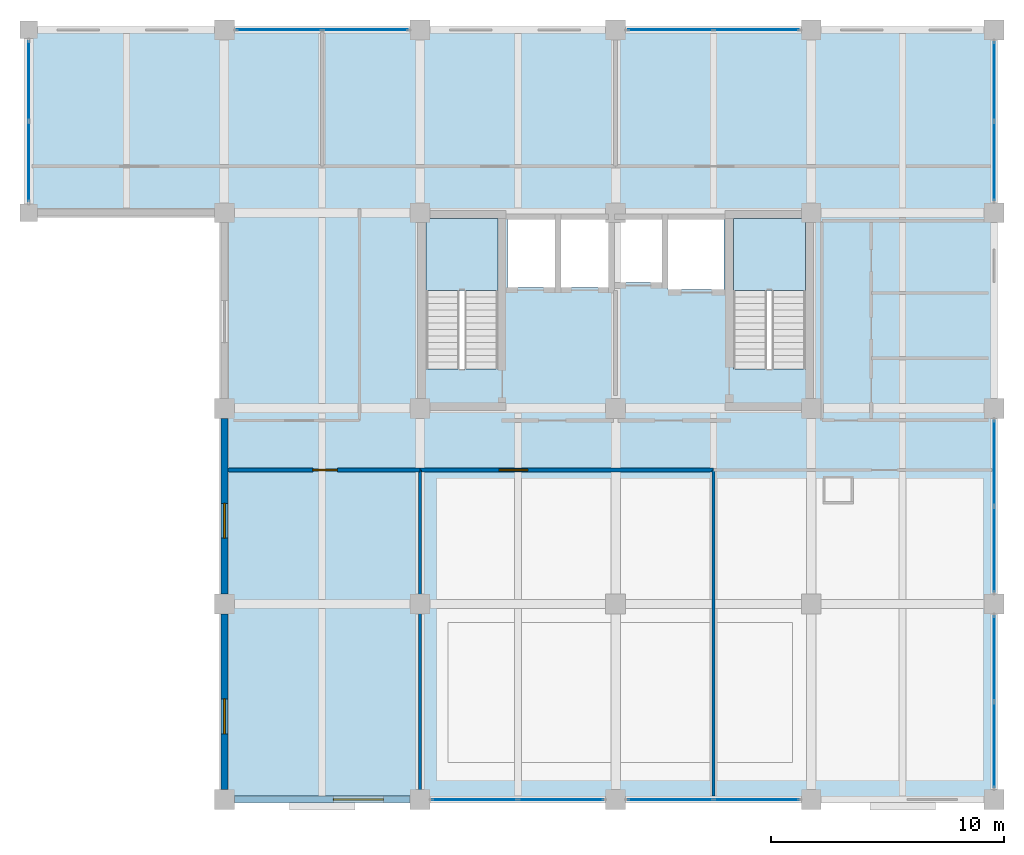
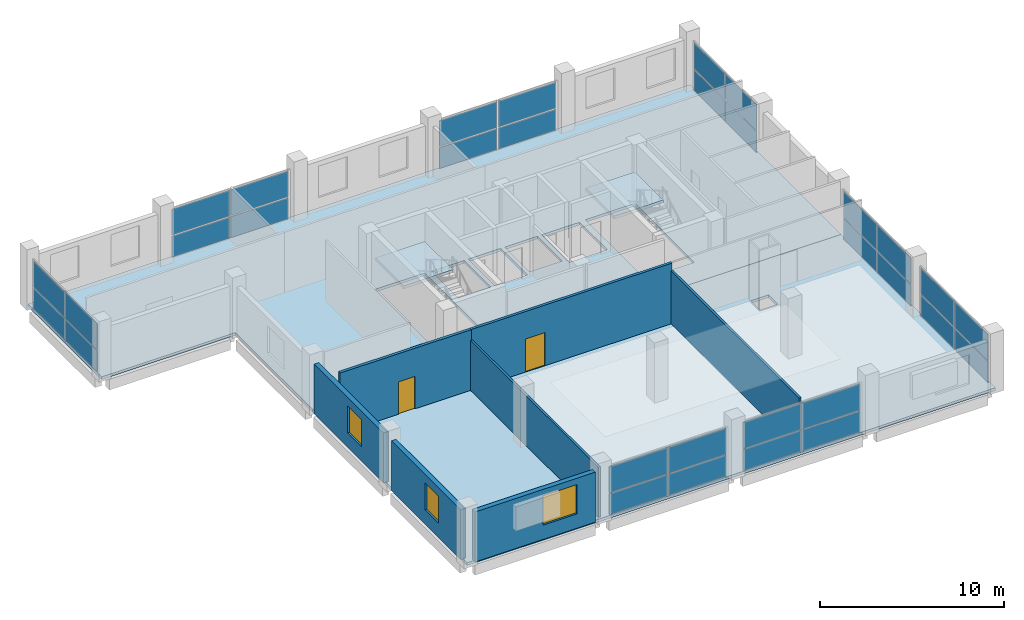
# One storey, part 6 of 9: 32 plates, 7 walls, 4 slabs, 3 windows, 2 doors, 5 openings, 10 elements without a shape of their own.
"""IFC4 building model written with IfcOpenShell, lengths in metres."""

from ifc_helpers import new_model, si_unit, direction, frame, frame_2d, origin, origin_2d, place, context, subcontext, project, spatial, polyline, rectangle, outline, extrude, material, layer, layer_set, type_object, element, fill, aggregate, save


model = new_model("IFC4")

# Units and contexts
model_context = context("Model", 3, precision=1e-05, world=origin(), true_north=direction((0.0, 1.0)))
body_context = subcontext(model_context, "Body", "Model", "MODEL_VIEW")
ifc_project = project(units=[si_unit("LENGTHUNIT", "METRE"), si_unit("AREAUNIT", "SQUARE_METRE"), si_unit("VOLUMEUNIT", "CUBIC_METRE"), si_unit("PLANEANGLEUNIT", "RADIAN"), si_unit("MASSUNIT", "GRAM", prefix="KILO")], contexts=[model_context])

# Site, building, storey
site_placement = place(None, origin())
site = spatial("IfcSite", under=ifc_project, at=site_placement, CompositionType="ELEMENT")
building_placement = place(site_placement, origin())
building = spatial("IfcBuilding", under=site, at=building_placement, Name="Brinegate Botanical Conservatory", CompositionType="ELEMENT")
storey_placement = place(building_placement, frame((0.0, 0.0, 36.0)))
storey = spatial("IfcBuildingStorey", under=building, at=storey_placement, Name="L09", CompositionType="ELEMENT", Elevation=36.0)

# Curtain wall, plates
ifc_material_1 = material(Name="Thermally broken anodised aluminium AW-6063-T6", Category="aluminium")
curtain_wall_type = type_object("IfcCurtainWallType", Name="CW_CW-TW1", PredefinedType="USERDEFINED", material=ifc_material_1)
curtain_wall_1_placement = place(storey_placement, origin())
curtain_wall_1 = element("IfcCurtainWall", 1, at=curtain_wall_1_placement, inside=storey, type_object=curtain_wall_type, Name="Research lab north curtain wall L09.2", ObjectType="FACTORY CURTAIN WALL", PredefinedType="USERDEFINED")
ifc_material_2 = material(Name="Double-silver Low-E laminated safety glass", Category="glass")
ifc_layer_1 = layer(ifc_material_2, 0.035888671875, Name="Double-silver Low-E laminated safety glass", Category="glass")
ifc_layer_set_1 = layer_set([ifc_layer_1], Name="Double-silver Low-E laminated safety glass")
plate_type = type_object("IfcPlateType", Name="Plate_PN-36", PredefinedType="CURTAIN_PANEL", material=ifc_layer_set_1)
plate_1_placement = place(storey_placement, frame((132.75, 111.449951171875, 0.06982421875), z_axis=(0.0, 0.0, 1.0), x_axis=(1.0, 0.0, 0.0)))
plate_1 = element("IfcPlate", 2, at=plate_1_placement, type_object=plate_type, Name="CW-TW1 panel 1.1", PredefinedType="CURTAIN_PANEL", context=body_context, shape_type="SweptSolid", body=[
    extrude(rectangle(XDim=3.6298828125, YDim=0.035888671875, at=origin_2d()), origin(), (0.0, 0.0, 1.0), 1.388916015625),
])
plate_2_placement = place(storey_placement, frame((132.75, 111.449951171875, 1.52880859375), z_axis=(0.0, 0.0, 1.0), x_axis=(1.0, 0.0, 0.0)))
plate_2 = element("IfcPlate", 3, at=plate_2_placement, type_object=plate_type, Name="CW-TW1 panel 1.2", PredefinedType="CURTAIN_PANEL", context=body_context, shape_type="SweptSolid", body=[
    extrude(rectangle(XDim=3.6298828125, YDim=0.035888671875, at=origin_2d()), origin(), (0.0, 0.0, 1.0), 1.720947265625),
])
plate_3_placement = place(storey_placement, frame((136.449951171875, 111.449951171875, 0.06982421875), z_axis=(0.0, 0.0, 1.0), x_axis=(1.0, 0.0, 0.0)))
plate_3 = element("IfcPlate", 4, at=plate_3_placement, type_object=plate_type, Name="CW-TW1 panel 2.1", PredefinedType="CURTAIN_PANEL", context=body_context, shape_type="SweptSolid", body=[
    extrude(rectangle(XDim=3.6298828125, YDim=0.035888671875, at=origin_2d()), origin(), (0.0, 0.0, 1.0), 1.388916015625),
])
plate_4_placement = place(storey_placement, frame((136.449951171875, 111.449951171875, 1.52880859375), z_axis=(0.0, 0.0, 1.0), x_axis=(1.0, 0.0, 0.0)))
plate_4 = element("IfcPlate", 5, at=plate_4_placement, type_object=plate_type, Name="CW-TW1 panel 2.2", PredefinedType="CURTAIN_PANEL", context=body_context, shape_type="SweptSolid", body=[
    extrude(rectangle(XDim=3.6298828125, YDim=0.035888671875, at=origin_2d()), origin(), (0.0, 0.0, 1.0), 1.720947265625),
])
aggregate(curtain_wall_1, [plate_1, plate_2, plate_3, plate_4])

curtain_wall_2_placement = place(storey_placement, origin())
curtain_wall_2 = element("IfcCurtainWall", 6, at=curtain_wall_2_placement, inside=storey, type_object=curtain_wall_type, Name="Research lab north curtain wall L09.4", ObjectType="FACTORY CURTAIN WALL", PredefinedType="USERDEFINED")
plate_5_placement = place(storey_placement, frame((149.550048828125, 111.449951171875, 0.06982421875), z_axis=(0.0, 0.0, 1.0), x_axis=(1.0, 0.0, 0.0)))
plate_5 = element("IfcPlate", 7, at=plate_5_placement, type_object=plate_type, Name="CW-TW1 panel 1.1", PredefinedType="CURTAIN_PANEL", context=body_context, shape_type="SweptSolid", body=[
    extrude(rectangle(XDim=3.6298828125, YDim=0.035888671875, at=origin_2d()), origin(), (0.0, 0.0, 1.0), 1.388916015625),
])
plate_6_placement = place(storey_placement, frame((149.550048828125, 111.449951171875, 1.52880859375), z_axis=(0.0, 0.0, 1.0), x_axis=(1.0, 0.0, 0.0)))
plate_6 = element("IfcPlate", 8, at=plate_6_placement, type_object=plate_type, Name="CW-TW1 panel 1.2", PredefinedType="CURTAIN_PANEL", context=body_context, shape_type="SweptSolid", body=[
    extrude(rectangle(XDim=3.6298828125, YDim=0.035888671875, at=origin_2d()), origin(), (0.0, 0.0, 1.0), 1.720947265625),
])
plate_7_placement = place(storey_placement, frame((153.25, 111.449951171875, 0.06982421875), z_axis=(0.0, 0.0, 1.0), x_axis=(1.0, 0.0, 0.0)))
plate_7 = element("IfcPlate", 9, at=plate_7_placement, type_object=plate_type, Name="CW-TW1 panel 2.1", PredefinedType="CURTAIN_PANEL", context=body_context, shape_type="SweptSolid", body=[
    extrude(rectangle(XDim=3.6298828125, YDim=0.035888671875, at=origin_2d()), origin(), (0.0, 0.0, 1.0), 1.388916015625),
])
plate_8_placement = place(storey_placement, frame((153.25, 111.449951171875, 1.52880859375), z_axis=(0.0, 0.0, 1.0), x_axis=(1.0, 0.0, 0.0)))
plate_8 = element("IfcPlate", 10, at=plate_8_placement, type_object=plate_type, Name="CW-TW1 panel 2.2", PredefinedType="CURTAIN_PANEL", context=body_context, shape_type="SweptSolid", body=[
    extrude(rectangle(XDim=3.6298828125, YDim=0.035888671875, at=origin_2d()), origin(), (0.0, 0.0, 1.0), 1.720947265625),
])
aggregate(curtain_wall_2, [plate_5, plate_6, plate_7, plate_8])

curtain_wall_3_placement = place(storey_placement, origin())
curtain_wall_3 = element("IfcCurtainWall", 11, at=curtain_wall_3_placement, inside=storey, type_object=curtain_wall_type, Name="Tower south curtain wall L09.2", ObjectType="FACTORY CURTAIN WALL", PredefinedType="USERDEFINED")
plate_9_placement = place(storey_placement, frame((144.85009765625, 78.39990234375, 0.06982421875), z_axis=(0.0, 0.0, 1.0), x_axis=(-1.0, 0.0, 0.0)))
plate_9 = element("IfcPlate", 12, at=plate_9_placement, type_object=plate_type, Name="CW-TW1 panel 1.1", PredefinedType="CURTAIN_PANEL", context=body_context, shape_type="SweptSolid", body=[
    extrude(rectangle(XDim=3.6298828125, YDim=0.035888671875, at=origin_2d()), origin(), (0.0, 0.0, 1.0), 1.388916015625),
])
plate_10_placement = place(storey_placement, frame((144.85009765625, 78.39990234375, 1.52880859375), z_axis=(0.0, 0.0, 1.0), x_axis=(-1.0, 0.0, 0.0)))
plate_10 = element("IfcPlate", 13, at=plate_10_placement, type_object=plate_type, Name="CW-TW1 panel 1.2", PredefinedType="CURTAIN_PANEL", context=body_context, shape_type="SweptSolid", body=[
    extrude(rectangle(XDim=3.6298828125, YDim=0.035888671875, at=origin_2d()), origin(), (0.0, 0.0, 1.0), 1.720947265625),
])
plate_11_placement = place(storey_placement, frame((141.14990234375, 78.39990234375, 0.06982421875), z_axis=(0.0, 0.0, 1.0), x_axis=(-1.0, 0.0, 0.0)))
plate_11 = element("IfcPlate", 14, at=plate_11_placement, type_object=plate_type, Name="CW-TW1 panel 2.1", PredefinedType="CURTAIN_PANEL", context=body_context, shape_type="SweptSolid", body=[
    extrude(rectangle(XDim=3.6298828125, YDim=0.035888671875, at=origin_2d()), origin(), (0.0, 0.0, 1.0), 1.388916015625),
])
plate_12_placement = place(storey_placement, frame((141.14990234375, 78.39990234375, 1.52880859375), z_axis=(0.0, 0.0, 1.0), x_axis=(-1.0, 0.0, 0.0)))
plate_12 = element("IfcPlate", 15, at=plate_12_placement, type_object=plate_type, Name="CW-TW1 panel 2.2", PredefinedType="CURTAIN_PANEL", context=body_context, shape_type="SweptSolid", body=[
    extrude(rectangle(XDim=3.6298828125, YDim=0.035888671875, at=origin_2d()), origin(), (0.0, 0.0, 1.0), 1.720947265625),
])
aggregate(curtain_wall_3, [plate_9, plate_10, plate_11, plate_12])

curtain_wall_4_placement = place(storey_placement, origin())
curtain_wall_4 = element("IfcCurtainWall", 16, at=curtain_wall_4_placement, inside=storey, type_object=curtain_wall_type, Name="Tower south curtain wall L09.3", ObjectType="FACTORY CURTAIN WALL", PredefinedType="USERDEFINED")
plate_13_placement = place(storey_placement, frame((153.25, 78.39990234375, 0.06982421875), z_axis=(0.0, 0.0, 1.0), x_axis=(-1.0, 0.0, 0.0)))
plate_13 = element("IfcPlate", 17, at=plate_13_placement, type_object=plate_type, Name="CW-TW1 panel 1.1", PredefinedType="CURTAIN_PANEL", context=body_context, shape_type="SweptSolid", body=[
    extrude(rectangle(XDim=3.6298828125, YDim=0.035888671875, at=origin_2d()), origin(), (0.0, 0.0, 1.0), 1.388916015625),
])
plate_14_placement = place(storey_placement, frame((153.25, 78.39990234375, 1.52880859375), z_axis=(0.0, 0.0, 1.0), x_axis=(-1.0, 0.0, 0.0)))
plate_14 = element("IfcPlate", 18, at=plate_14_placement, type_object=plate_type, Name="CW-TW1 panel 1.2", PredefinedType="CURTAIN_PANEL", context=body_context, shape_type="SweptSolid", body=[
    extrude(rectangle(XDim=3.6298828125, YDim=0.035888671875, at=origin_2d()), origin(), (0.0, 0.0, 1.0), 1.720947265625),
])
plate_15_placement = place(storey_placement, frame((149.550048828125, 78.39990234375, 0.06982421875), z_axis=(0.0, 0.0, 1.0), x_axis=(-1.0, 0.0, 0.0)))
plate_15 = element("IfcPlate", 19, at=plate_15_placement, type_object=plate_type, Name="CW-TW1 panel 2.1", PredefinedType="CURTAIN_PANEL", context=body_context, shape_type="SweptSolid", body=[
    extrude(rectangle(XDim=3.6298828125, YDim=0.035888671875, at=origin_2d()), origin(), (0.0, 0.0, 1.0), 1.388916015625),
])
plate_16_placement = place(storey_placement, frame((149.550048828125, 78.39990234375, 1.52880859375), z_axis=(0.0, 0.0, 1.0), x_axis=(-1.0, 0.0, 0.0)))
plate_16 = element("IfcPlate", 20, at=plate_16_placement, type_object=plate_type, Name="CW-TW1 panel 2.2", PredefinedType="CURTAIN_PANEL", context=body_context, shape_type="SweptSolid", body=[
    extrude(rectangle(XDim=3.6298828125, YDim=0.035888671875, at=origin_2d()), origin(), (0.0, 0.0, 1.0), 1.720947265625),
])
aggregate(curtain_wall_4, [plate_13, plate_14, plate_15, plate_16])

curtain_wall_5_placement = place(storey_placement, origin())
curtain_wall_5 = element("IfcCurtainWall", 21, at=curtain_wall_5_placement, inside=storey, type_object=curtain_wall_type, Name="Tower east curtain wall L09.1", ObjectType="FACTORY CURTAIN WALL", PredefinedType="USERDEFINED")
plate_17_placement = place(storey_placement, frame((163.449951171875, 84.449951171875, 0.06982421875), z_axis=(0.0, 0.0, 1.0), x_axis=(0.0, -1.0, 0.0)))
plate_17 = element("IfcPlate", 22, at=plate_17_placement, type_object=plate_type, Name="CW-TW1 panel 1.1", PredefinedType="CURTAIN_PANEL", context=body_context, shape_type="SweptSolid", body=[
    extrude(rectangle(XDim=3.6298828125, YDim=0.035888671875, at=origin_2d()), origin(), (0.0, 0.0, 1.0), 1.388916015625),
])
plate_18_placement = place(storey_placement, frame((163.449951171875, 84.449951171875, 1.52880859375), z_axis=(0.0, 0.0, 1.0), x_axis=(0.0, -1.0, 0.0)))
plate_18 = element("IfcPlate", 23, at=plate_18_placement, type_object=plate_type, Name="CW-TW1 panel 1.2", PredefinedType="CURTAIN_PANEL", context=body_context, shape_type="SweptSolid", body=[
    extrude(rectangle(XDim=3.6298828125, YDim=0.035888671875, at=origin_2d()), origin(), (0.0, 0.0, 1.0), 1.720947265625),
])
plate_19_placement = place(storey_placement, frame((163.449951171875, 80.75, 0.06982421875), z_axis=(0.0, 0.0, 1.0), x_axis=(0.0, -1.0, 0.0)))
plate_19 = element("IfcPlate", 24, at=plate_19_placement, type_object=plate_type, Name="CW-TW1 panel 2.1", PredefinedType="CURTAIN_PANEL", context=body_context, shape_type="SweptSolid", body=[
    extrude(rectangle(XDim=3.6298828125, YDim=0.035888671875, at=origin_2d()), origin(), (0.0, 0.0, 1.0), 1.388916015625),
])
plate_20_placement = place(storey_placement, frame((163.449951171875, 80.75, 1.52880859375), z_axis=(0.0, 0.0, 1.0), x_axis=(0.0, -1.0, 0.0)))
plate_20 = element("IfcPlate", 25, at=plate_20_placement, type_object=plate_type, Name="CW-TW1 panel 2.2", PredefinedType="CURTAIN_PANEL", context=body_context, shape_type="SweptSolid", body=[
    extrude(rectangle(XDim=3.6298828125, YDim=0.035888671875, at=origin_2d()), origin(), (0.0, 0.0, 1.0), 1.720947265625),
])
aggregate(curtain_wall_5, [plate_17, plate_18, plate_19, plate_20])

curtain_wall_6_placement = place(storey_placement, origin())
curtain_wall_6 = element("IfcCurtainWall", 26, at=curtain_wall_6_placement, inside=storey, type_object=curtain_wall_type, Name="Tower east curtain wall L09.2", ObjectType="FACTORY CURTAIN WALL", PredefinedType="USERDEFINED")
plate_21_placement = place(storey_placement, frame((163.449951171875, 92.85009765625, 0.06982421875), z_axis=(0.0, 0.0, 1.0), x_axis=(0.0, -1.0, 0.0)))
plate_21 = element("IfcPlate", 27, at=plate_21_placement, type_object=plate_type, Name="CW-TW1 panel 1.1", PredefinedType="CURTAIN_PANEL", context=body_context, shape_type="SweptSolid", body=[
    extrude(rectangle(XDim=3.6298828125, YDim=0.035888671875, at=origin_2d()), origin(), (0.0, 0.0, 1.0), 1.388916015625),
])
plate_22_placement = place(storey_placement, frame((163.449951171875, 92.85009765625, 1.52880859375), z_axis=(0.0, 0.0, 1.0), x_axis=(0.0, -1.0, 0.0)))
plate_22 = element("IfcPlate", 28, at=plate_22_placement, type_object=plate_type, Name="CW-TW1 panel 1.2", PredefinedType="CURTAIN_PANEL", context=body_context, shape_type="SweptSolid", body=[
    extrude(rectangle(XDim=3.6298828125, YDim=0.035888671875, at=origin_2d()), origin(), (0.0, 0.0, 1.0), 1.720947265625),
])
plate_23_placement = place(storey_placement, frame((163.449951171875, 89.14990234375, 0.06982421875), z_axis=(0.0, 0.0, 1.0), x_axis=(0.0, -1.0, 0.0)))
plate_23 = element("IfcPlate", 29, at=plate_23_placement, type_object=plate_type, Name="CW-TW1 panel 2.1", PredefinedType="CURTAIN_PANEL", context=body_context, shape_type="SweptSolid", body=[
    extrude(rectangle(XDim=3.6298828125, YDim=0.035888671875, at=origin_2d()), origin(), (0.0, 0.0, 1.0), 1.388916015625),
])
plate_24_placement = place(storey_placement, frame((163.449951171875, 89.14990234375, 1.52880859375), z_axis=(0.0, 0.0, 1.0), x_axis=(0.0, -1.0, 0.0)))
plate_24 = element("IfcPlate", 30, at=plate_24_placement, type_object=plate_type, Name="CW-TW1 panel 2.2", PredefinedType="CURTAIN_PANEL", context=body_context, shape_type="SweptSolid", body=[
    extrude(rectangle(XDim=3.6298828125, YDim=0.035888671875, at=origin_2d()), origin(), (0.0, 0.0, 1.0), 1.720947265625),
])
aggregate(curtain_wall_6, [plate_21, plate_22, plate_23, plate_24])

curtain_wall_7_placement = place(storey_placement, origin())
curtain_wall_7 = element("IfcCurtainWall", 31, at=curtain_wall_7_placement, inside=storey, type_object=curtain_wall_type, Name="Tower east curtain wall L09.4", ObjectType="FACTORY CURTAIN WALL", PredefinedType="USERDEFINED")
plate_25_placement = place(storey_placement, frame((163.449951171875, 109.237548828125, 0.06982421875), z_axis=(0.0, 0.0, 1.0), x_axis=(0.0, -1.0, 0.0)))
plate_25 = element("IfcPlate", 32, at=plate_25_placement, type_object=plate_type, Name="CW-TW1 panel 1.1", PredefinedType="CURTAIN_PANEL", context=body_context, shape_type="SweptSolid", body=[
    extrude(rectangle(XDim=3.35498046875, YDim=0.035888671875, at=origin_2d()), origin(), (0.0, 0.0, 1.0), 1.388916015625),
])
plate_26_placement = place(storey_placement, frame((163.449951171875, 109.237548828125, 1.52880859375), z_axis=(0.0, 0.0, 1.0), x_axis=(0.0, -1.0, 0.0)))
plate_26 = element("IfcPlate", 33, at=plate_26_placement, type_object=plate_type, Name="CW-TW1 panel 1.2", PredefinedType="CURTAIN_PANEL", context=body_context, shape_type="SweptSolid", body=[
    extrude(rectangle(XDim=3.35498046875, YDim=0.035888671875, at=origin_2d()), origin(), (0.0, 0.0, 1.0), 1.720947265625),
])
plate_27_placement = place(storey_placement, frame((163.449951171875, 105.8125, 0.06982421875), z_axis=(0.0, 0.0, 1.0), x_axis=(0.0, -1.0, 0.0)))
plate_27 = element("IfcPlate", 34, at=plate_27_placement, type_object=plate_type, Name="CW-TW1 panel 2.1", PredefinedType="CURTAIN_PANEL", context=body_context, shape_type="SweptSolid", body=[
    extrude(rectangle(XDim=3.35498046875, YDim=0.035888671875, at=origin_2d()), origin(), (0.0, 0.0, 1.0), 1.388916015625),
])
plate_28_placement = place(storey_placement, frame((163.449951171875, 105.8125, 1.52880859375), z_axis=(0.0, 0.0, 1.0), x_axis=(0.0, -1.0, 0.0)))
plate_28 = element("IfcPlate", 35, at=plate_28_placement, type_object=plate_type, Name="CW-TW1 panel 2.2", PredefinedType="CURTAIN_PANEL", context=body_context, shape_type="SweptSolid", body=[
    extrude(rectangle(XDim=3.35498046875, YDim=0.035888671875, at=origin_2d()), origin(), (0.0, 0.0, 1.0), 1.720947265625),
])
aggregate(curtain_wall_7, [plate_25, plate_26, plate_27, plate_28])

curtain_wall_8_placement = place(storey_placement, origin())
curtain_wall_8 = element("IfcCurtainWall", 36, at=curtain_wall_8_placement, inside=storey, type_object=curtain_wall_type, Name="Tower north-west curtain wall L09", ObjectType="FACTORY CURTAIN WALL", PredefinedType="USERDEFINED")
plate_29_placement = place(storey_placement, frame((122.0, 105.78759765625, 0.06982421875), z_axis=(0.0, 0.0, 1.0), x_axis=(0.0, 1.0, 0.0)))
plate_29 = element("IfcPlate", 37, at=plate_29_placement, type_object=plate_type, Name="CW-TW1 panel 1.1", PredefinedType="CURTAIN_PANEL", context=body_context, shape_type="SweptSolid", body=[
    extrude(rectangle(XDim=3.405029296875, YDim=0.035888671875, at=origin_2d()), origin(), (0.0, 0.0, 1.0), 1.388916015625),
])
plate_30_placement = place(storey_placement, frame((122.0, 105.78759765625, 1.52880859375), z_axis=(0.0, 0.0, 1.0), x_axis=(0.0, 1.0, 0.0)))
plate_30 = element("IfcPlate", 38, at=plate_30_placement, type_object=plate_type, Name="CW-TW1 panel 1.2", PredefinedType="CURTAIN_PANEL", context=body_context, shape_type="SweptSolid", body=[
    extrude(rectangle(XDim=3.405029296875, YDim=0.035888671875, at=origin_2d()), origin(), (0.0, 0.0, 1.0), 1.720947265625),
])
plate_31_placement = place(storey_placement, frame((122.0, 109.262451171875, 0.06982421875), z_axis=(0.0, 0.0, 1.0), x_axis=(0.0, 1.0, 0.0)))
plate_31 = element("IfcPlate", 39, at=plate_31_placement, type_object=plate_type, Name="CW-TW1 panel 2.1", PredefinedType="CURTAIN_PANEL", context=body_context, shape_type="SweptSolid", body=[
    extrude(rectangle(XDim=3.405029296875, YDim=0.035888671875, at=origin_2d()), origin(), (0.0, 0.0, 1.0), 1.388916015625),
])
plate_32_placement = place(storey_placement, frame((122.0, 109.262451171875, 1.52880859375), z_axis=(0.0, 0.0, 1.0), x_axis=(0.0, 1.0, 0.0)))
plate_32 = element("IfcPlate", 40, at=plate_32_placement, type_object=plate_type, Name="CW-TW1 panel 2.2", PredefinedType="CURTAIN_PANEL", context=body_context, shape_type="SweptSolid", body=[
    extrude(rectangle(XDim=3.405029296875, YDim=0.035888671875, at=origin_2d()), origin(), (0.0, 0.0, 1.0), 1.720947265625),
])
aggregate(curtain_wall_8, [plate_29, plate_30, plate_31, plate_32])

# Slabs
ifc_material_3 = material(Name="Concrete C40/50", Category="concrete")
ifc_layer_2 = layer(ifc_material_3, 0.179931640625, Name="Concrete C40/50", Category="concrete")
ifc_layer_set_2 = layer_set([ifc_layer_2], Name="Concrete C40/50")
slab_type_1 = type_object("IfcSlabType", Name="Slab_SL-FL180", PredefinedType="FLOOR", material=ifc_layer_set_2)
slab_1_placement = place(storey_placement, frame((0.0, 0.0, -0.179931640625)))
element("IfcSlab", 41, at=slab_1_placement, inside=storey, type_object=slab_type_1, Name="Research Tower L09 north structural floor slab", PredefinedType="FLOOR", context=body_context, shape_type="SweptSolid", body=[
    extrude(outline(polyline([(130.39990234375, 103.60009765625), (122.0, 103.60009765625), (122.0, 111.60009765625), (163.60009765625, 111.60009765625), (163.60009765625, 95.199951171875), (130.39990234375, 95.199951171875), (130.39990234375, 103.60009765625)]), holes=[polyline([(142.14990234375, 96.89990234375), (142.14990234375, 103.35009765625), (139.050048828125, 103.35009765625), (139.050048828125, 96.89990234375), (142.14990234375, 96.89990234375)]), polyline([(155.35009765625, 96.89990234375), (155.35009765625, 103.35009765625), (152.25, 103.35009765625), (152.25, 96.89990234375), (155.35009765625, 96.89990234375)]), polyline([(142.550048828125, 100.39990234375), (144.60009765625, 100.39990234375), (144.60009765625, 103.300048828125), (142.550048828125, 103.300048828125), (142.550048828125, 100.39990234375)]), polyline([(144.85009765625, 100.39990234375), (146.89990234375, 100.39990234375), (146.89990234375, 103.300048828125), (144.85009765625, 103.300048828125), (144.85009765625, 100.39990234375)]), polyline([(147.14990234375, 100.60009765625), (149.199951171875, 100.60009765625), (149.199951171875, 103.300048828125), (147.14990234375, 103.300048828125), (147.14990234375, 100.60009765625)]), polyline([(149.449951171875, 100.300048828125), (151.85009765625, 100.300048828125), (151.85009765625, 103.300048828125), (149.449951171875, 103.300048828125), (149.449951171875, 100.300048828125)])]), origin(), (0.0, 0.0, 1.0), 0.179931640625),
])
slab_2_placement = place(storey_placement, frame((0.0, 0.0, -0.179931640625)))
element("IfcSlab", 42, at=slab_2_placement, inside=storey, type_object=slab_type_1, Name="Research Tower L09 south structural floor slab", PredefinedType="FLOOR", context=body_context, shape_type="SweptSolid", body=[
    extrude(outline(polyline([(163.60009765625, 78.39990234375), (130.39990234375, 78.39990234375), (130.39990234375, 95.199951171875), (163.60009765625, 95.199951171875), (163.60009765625, 78.39990234375)]), holes=[polyline([(156.199951171875, 91.199951171875), (157.300048828125, 91.199951171875), (157.300048828125, 92.199951171875), (156.199951171875, 92.199951171875), (156.199951171875, 91.199951171875)])]), origin(), (0.0, 0.0, 1.0), 0.179931640625),
])

# Stair, slab
stair_type = type_object("IfcStairType", Name="Stair_HT-4200", PredefinedType="HALF_TURN_STAIR", material=ifc_material_3)
stair_1_placement = place(storey_placement, origin())
stair_1 = element("IfcStair", 43, at=stair_1_placement, inside=storey, type_object=stair_type, Name="L09 Tower West Smoke-Proof Stair ST1", PredefinedType="HALF_TURN_STAIR")
ifc_layer_3 = layer(ifc_material_3, 0.199951171875, Name="Concrete C40/50", Category="concrete")
ifc_layer_set_3 = layer_set([ifc_layer_3], Name="Concrete C40/50")
slab_type_2 = type_object("IfcSlabType", Name="Slab_SL-LD200", PredefinedType="LANDING", material=ifc_layer_set_3)
slab_3_placement = place(storey_placement, frame((0.0, 0.0, 1.89990234375)))
slab_3 = element("IfcSlab", 44, at=slab_3_placement, type_object=slab_type_2, Name="ST1 landing 1", PredefinedType="LANDING", context=body_context, shape_type="SweptSolid", body=[
    extrude(outline(polyline([(142.14990234375, 100.260009765625), (142.14990234375, 103.35009765625), (139.050048828125, 103.35009765625), (139.050048828125, 100.260009765625), (142.14990234375, 100.260009765625)])), origin(), (0.0, 0.0, 1.0), 0.2001953125),
])
aggregate(stair_1, [slab_3])

stair_2_placement = place(storey_placement, origin())
stair_2 = element("IfcStair", 45, at=stair_2_placement, inside=storey, type_object=stair_type, Name="L09 Tower East Smoke-Proof Stair ST2", PredefinedType="HALF_TURN_STAIR")
slab_4_placement = place(storey_placement, frame((0.0, 0.0, 1.89990234375)))
slab_4 = element("IfcSlab", 46, at=slab_4_placement, type_object=slab_type_2, Name="ST2 landing 1", PredefinedType="LANDING", context=body_context, shape_type="SweptSolid", body=[
    extrude(outline(polyline([(155.35009765625, 100.260009765625), (155.35009765625, 103.35009765625), (152.25, 103.35009765625), (152.25, 100.260009765625), (155.35009765625, 100.260009765625)])), origin(), (0.0, 0.0, 1.0), 0.2001953125),
])
aggregate(stair_2, [slab_4])

# Wall, opening, window
ifc_material_4 = material(Name="Insulated Minnan red clay brick masonry", Category="masonry")
ifc_layer_4 = layer(ifc_material_4, 0.300048828125, Name="Insulated Minnan red clay brick masonry", Category="masonry")
ifc_layer_set_4 = layer_set([ifc_layer_4], Name="Insulated Minnan red clay brick masonry")
wall_type_1 = type_object("IfcWallType", Name="Wall_EW-300B", PredefinedType="STANDARD", material=ifc_layer_set_4)
wall_1_placement = place(storey_placement, frame((138.375, 78.39990234375, 0.0), z_axis=(0.0, 0.0, 1.0), x_axis=(-1.0, 0.0, 0.0)))
wall_1 = element("IfcWall", 47, at=wall_1_placement, inside=storey, type_object=wall_type_1, Name="Tower south facade wall L09.1", PredefinedType="STANDARD", context=body_context, shape_type="SweptSolid", body=[
    extrude(rectangle(XDim=7.550048828125, YDim=0.300048828125, at=frame_2d((3.77490234375, 0.0))), origin(), (0.0, 0.0, 1.0), 3.320068359375),
])
opening_1_placement = place(wall_1_placement, frame((1.14990234375, 0.0, 0.949951171875)))
opening_1 = element("IfcOpeningElement", 48, at=opening_1_placement, cuts=wall_1, Name="Opening WN-24", PredefinedType="OPENING", context=body_context, shape_type="SweptSolid", body=[
    extrude(rectangle(XDim=2.14990234375, YDim=1.949951171875, at=frame_2d((1.074951171875, 0.97509765625))), frame((0.0, 0.159912109375, 0.0), z_axis=(0.0, -1.0, 0.0), x_axis=(1.0, 0.0, 0.0)), (0.0, 0.0, 1.0), 0.320068359375),
])
ifc_material_5 = material(Name="Thermally broken aluminium-framed Low-E glass", Category="aluminium")
window_type_1 = type_object("IfcWindowType", Name="Win_WN-24", PartitioningType="DOUBLE_PANEL_VERTICAL", PredefinedType="WINDOW", material=ifc_material_5)
window_1_placement = place(opening_1_placement, origin())
window_1 = element("IfcWindow", 49, at=window_1_placement, inside=storey, type_object=window_type_1, Name="Tower south window L09.1", OverallHeight=1.949951171875, OverallWidth=2.14990234375, PartitioningType="DOUBLE_PANEL_VERTICAL", PredefinedType="WINDOW", context=body_context, shape_type="SweptSolid", body=[
    extrude(rectangle(XDim=2.14990234375, YDim=1.949951171875, at=frame_2d((1.074951171875, 0.97509765625))), frame((0.0, 0.030029296875, 0.0), z_axis=(0.0, -1.0, 0.0), x_axis=(1.0, 0.0, 0.0)), (0.0, 0.0, 1.0), 0.06005859375),
])
fill(opening_1, window_1)

wall_2_placement = place(storey_placement, frame((130.39990234375, 78.824951171875, 0.0), z_axis=(0.0, 0.0, 1.0), x_axis=(0.0, 1.0, 0.0)))
wall_2 = element("IfcWall", 50, at=wall_2_placement, inside=storey, type_object=wall_type_1, Name="Tower west wall L09.S1", PredefinedType="STANDARD", context=body_context, shape_type="SweptSolid", body=[
    extrude(rectangle(XDim=7.550048828125, YDim=0.300048828125, at=frame_2d((3.77490234375, 0.0))), origin(), (0.0, 0.0, 1.0), 3.320068359375),
])
opening_2_placement = place(wall_2_placement, frame((2.39990234375, 0.0, 0.949951171875)))
opening_2 = element("IfcOpeningElement", 51, at=opening_2_placement, cuts=wall_2, Name="Opening WN-04", PredefinedType="OPENING", context=body_context, shape_type="SweptSolid", body=[
    extrude(rectangle(XDim=1.5, YDim=1.800048828125, at=frame_2d((0.75, 0.89990234375))), frame((0.0, 0.159912109375, 0.0), z_axis=(0.0, -1.0, 0.0), x_axis=(1.0, 0.0, 0.0)), (0.0, 0.0, 1.0), 0.320068359375),
])
window_type_2 = type_object("IfcWindowType", Name="Win_WN-04", PartitioningType="DOUBLE_PANEL_VERTICAL", PredefinedType="WINDOW", material=ifc_material_5)
window_2_placement = place(opening_2_placement, origin())
window_2 = element("IfcWindow", 52, at=window_2_placement, inside=storey, type_object=window_type_2, Name="Tower west window L09.S1", OverallHeight=1.800048828125, OverallWidth=1.5, PartitioningType="DOUBLE_PANEL_VERTICAL", PredefinedType="WINDOW", context=body_context, shape_type="SweptSolid", body=[
    extrude(rectangle(XDim=1.5, YDim=1.800048828125, at=frame_2d((0.75, 0.89990234375))), frame((0.0, 0.030029296875, 0.0), z_axis=(0.0, -1.0, 0.0), x_axis=(1.0, 0.0, 0.0)), (0.0, 0.0, 1.0), 0.06005859375),
])
fill(opening_2, window_2)

wall_3_placement = place(storey_placement, frame((130.39990234375, 87.22509765625, 0.0), z_axis=(0.0, 0.0, 1.0), x_axis=(0.0, 1.0, 0.0)))
wall_3 = element("IfcWall", 53, at=wall_3_placement, inside=storey, type_object=wall_type_1, Name="Tower west wall L09.S2", PredefinedType="STANDARD", context=body_context, shape_type="SweptSolid", body=[
    extrude(rectangle(XDim=7.5498046875, YDim=0.300048828125, at=frame_2d((3.77490234375, 0.0))), origin(), (0.0, 0.0, 1.0), 3.320068359375),
])
opening_3_placement = place(wall_3_placement, frame((2.39990234375, 0.0, 0.949951171875)))
opening_3 = element("IfcOpeningElement", 54, at=opening_3_placement, cuts=wall_3, Name="Opening WN-04", PredefinedType="OPENING", context=body_context, shape_type="SweptSolid", body=[
    extrude(rectangle(XDim=1.5, YDim=1.800048828125, at=frame_2d((0.75, 0.89990234375))), frame((0.0, 0.159912109375, 0.0), z_axis=(0.0, -1.0, 0.0), x_axis=(1.0, 0.0, 0.0)), (0.0, 0.0, 1.0), 0.320068359375),
])
window_3_placement = place(opening_3_placement, origin())
window_3 = element("IfcWindow", 55, at=window_3_placement, inside=storey, type_object=window_type_2, Name="Tower west window L09.S2", OverallHeight=1.800048828125, OverallWidth=1.5, PartitioningType="DOUBLE_PANEL_VERTICAL", PredefinedType="WINDOW", context=body_context, shape_type="SweptSolid", body=[
    extrude(rectangle(XDim=1.5, YDim=1.800048828125, at=frame_2d((0.75, 0.89990234375))), frame((0.0, 0.030029296875, 0.0), z_axis=(0.0, -1.0, 0.0), x_axis=(1.0, 0.0, 0.0)), (0.0, 0.0, 1.0), 0.06005859375),
])
fill(opening_3, window_3)

# Walls
ifc_material_6 = material(Name="Gypsum-clad steel-stud partition", Category="steel")
ifc_layer_5 = layer(ifc_material_6, 0.135009765625, Name="Gypsum-clad steel-stud partition", Category="steel")
ifc_layer_set_5 = layer_set([ifc_layer_5], Name="Gypsum-clad steel-stud partition")
wall_type_2 = type_object("IfcWallType", Name="Wall_PW-135", PredefinedType="PARTITIONING", material=ifc_layer_set_5)
wall_4_placement = place(storey_placement, frame((138.800048828125, 78.550048828125, 0.0), z_axis=(0.0, 0.0, 1.0), x_axis=(0.0, 1.0, 0.0)))
element("IfcWall", 56, at=wall_4_placement, inside=storey, type_object=wall_type_2, Name="Interior partition P-L09-SDIV-S2", PredefinedType="PARTITIONING", context=body_context, shape_type="SweptSolid", body=[
    extrude(rectangle(XDim=14.0, YDim=0.135009765625, at=frame_2d((7.0, 0.0))), origin(), (0.0, 0.0, 1.0), 3.320068359375),
])
wall_5_placement = place(storey_placement, frame((151.39990234375, 78.550048828125, 0.0), z_axis=(0.0, 0.0, 1.0), x_axis=(0.0, 1.0, 0.0)))
element("IfcWall", 57, at=wall_5_placement, inside=storey, type_object=wall_type_2, Name="Interior partition P-L09-SDIV-S3", PredefinedType="PARTITIONING", context=body_context, shape_type="SweptSolid", body=[
    extrude(rectangle(XDim=14.0, YDim=0.135009765625, at=frame_2d((7.0, 0.0))), origin(), (0.0, 0.0, 1.0), 3.52001953125),
])

# Wall, opening, door
ifc_material_7 = material(Name="Gypsum-clad acoustic steel-stud partition", Category="steel")
ifc_layer_6 = layer(ifc_material_7, 0.1650390625, Name="Gypsum-clad acoustic steel-stud partition", Category="steel")
ifc_layer_set_6 = layer_set([ifc_layer_6], Name="Gypsum-clad acoustic steel-stud partition")
wall_type_3 = type_object("IfcWallType", Name="Wall_PW-165", PredefinedType="PARTITIONING", material=ifc_layer_set_6)
wall_6_placement = place(storey_placement, frame((138.800048828125, 92.550048828125, 0.0), z_axis=(0.0, 0.0, 1.0), x_axis=(1.0, 0.0, 0.0)))
wall_6 = element("IfcWall", 58, at=wall_6_placement, inside=storey, type_object=wall_type_3, Name="Interior partition P-L09-SB-S2", PredefinedType="PARTITIONING", context=body_context, shape_type="SweptSolid", body=[
    extrude(rectangle(XDim=12.599853515625, YDim=0.1650390625, at=frame_2d((6.2998046875, 0.0))), origin(), (0.0, 0.0, 1.0), 4.02001953125),
])
opening_4_placement = place(wall_6_placement, frame((3.39990234375, 0.0, 0.0)))
opening_4 = element("IfcOpeningElement", 59, at=opening_4_placement, cuts=wall_6, Name="Opening DR-07", PredefinedType="OPENING", context=body_context, shape_type="SweptSolid", body=[
    extrude(rectangle(XDim=1.219970703125, YDim=2.199951171875, at=frame_2d((0.60986328125, 1.10009765625))), frame((0.0, 0.092529296875, 0.0), z_axis=(0.0, -1.0, 0.0), x_axis=(1.0, 0.0, 0.0)), (0.0, 0.0, 1.0), 0.18505859375),
])
ifc_material_8 = material(Name="Acoustic cleanroom door", Category="steel")
door_type_1 = type_object("IfcDoorType", Name="Door_DR-07", OperationType="NOTDEFINED", PredefinedType="DOOR", material=ifc_material_8)
door_1_placement = place(opening_4_placement, origin())
door_1 = element("IfcDoor", 60, at=door_1_placement, inside=storey, type_object=door_type_1, Name="DR-P-L09-SB-S2-1", OperationType="SINGLE_SWING_LEFT", OverallHeight=2.199951171875, OverallWidth=1.219970703125, PredefinedType="DOOR", context=body_context, shape_type="SweptSolid", body=[
    extrude(rectangle(XDim=1.219970703125, YDim=2.199951171875, at=frame_2d((0.60986328125, 1.10009765625))), frame((0.0, 0.02490234375, 0.0), z_axis=(0.0, -1.0, 0.0), x_axis=(1.0, 0.0, 0.0)), (0.0, 0.0, 1.0), 0.050048828125),
])
fill(opening_4, door_1)

ifc_material_9 = material(Name="Autoclaved aerated concrete C40/50 blockwork", Category="masonry")
ifc_layer_7 = layer(ifc_material_9, 0.179931640625, Name="Autoclaved aerated concrete C40/50 blockwork", Category="masonry")
ifc_layer_set_7 = layer_set([ifc_layer_7], Name="Autoclaved aerated concrete C40/50 blockwork")
wall_type_4 = type_object("IfcWallType", Name="Wall_PW-180F", PredefinedType="STANDARD", material=ifc_layer_set_7)
wall_7_placement = place(storey_placement, frame((130.550048828125, 92.550048828125, 0.0), z_axis=(0.0, 0.0, 1.0), x_axis=(1.0, 0.0, 0.0)))
wall_7 = element("IfcWall", 61, at=wall_7_placement, inside=storey, type_object=wall_type_4, Name="Interior partition P-L09-SB-S1", PredefinedType="STANDARD", context=body_context, shape_type="SweptSolid", body=[
    extrude(rectangle(XDim=8.25, YDim=0.179931640625, at=frame_2d((4.125, 0.0))), origin(), (0.0, 0.0, 1.0), 4.02001953125),
])
opening_5_placement = place(wall_7_placement, frame((3.64990234375, 0.0, 0.0)))
opening_5 = element("IfcOpeningElement", 62, at=opening_5_placement, cuts=wall_7, Name="Opening FD-B2", PredefinedType="OPENING", context=body_context, shape_type="SweptSolid", body=[
    extrude(rectangle(XDim=1.050048828125, YDim=2.14990234375, at=frame_2d((0.52490234375, 1.074951171875))), frame((0.0, 0.099853515625, 0.0), z_axis=(0.0, -1.0, 0.0), x_axis=(1.0, 0.0, 0.0)), (0.0, 0.0, 1.0), 0.199951171875),
])
ifc_material_10 = material(Name="Steel fire door assembly", Category="steel")
door_type_2 = type_object("IfcDoorType", Name="Door_FD-B2", OperationType="NOTDEFINED", PredefinedType="DOOR", material=ifc_material_10)
door_2_placement = place(opening_5_placement, origin())
door_2 = element("IfcDoor", 63, at=door_2_placement, inside=storey, type_object=door_type_2, Name="DR-P-L09-SB-S1-1", OperationType="SINGLE_SWING_RIGHT", OverallHeight=2.14990234375, OverallWidth=1.050048828125, PredefinedType="DOOR", context=body_context, shape_type="SweptSolid", body=[
    extrude(rectangle(XDim=1.050048828125, YDim=2.14990234375, at=frame_2d((0.52490234375, 1.074951171875))), frame((0.0, 0.02490234375, 0.0), z_axis=(0.0, -1.0, 0.0), x_axis=(1.0, 0.0, 0.0)), (0.0, 0.0, 1.0), 0.050048828125),
])
fill(opening_5, door_2)

save(model, "model.ifc")
